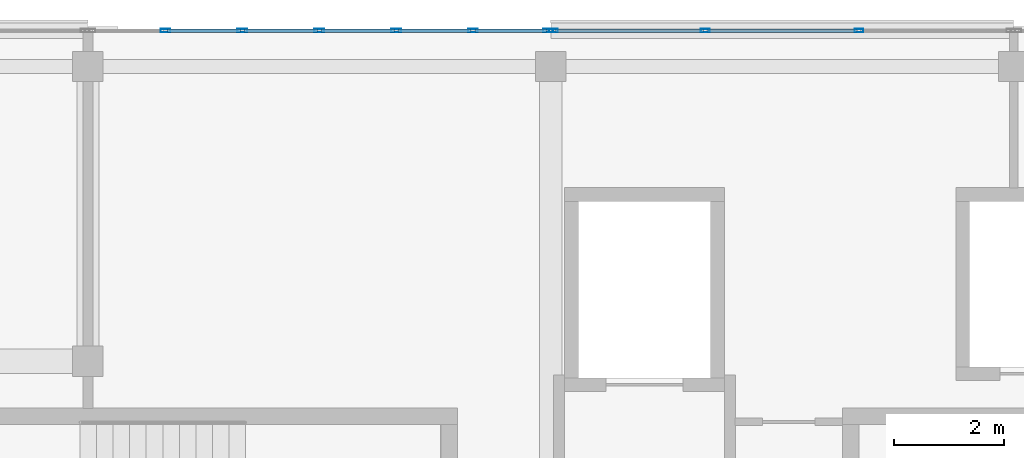
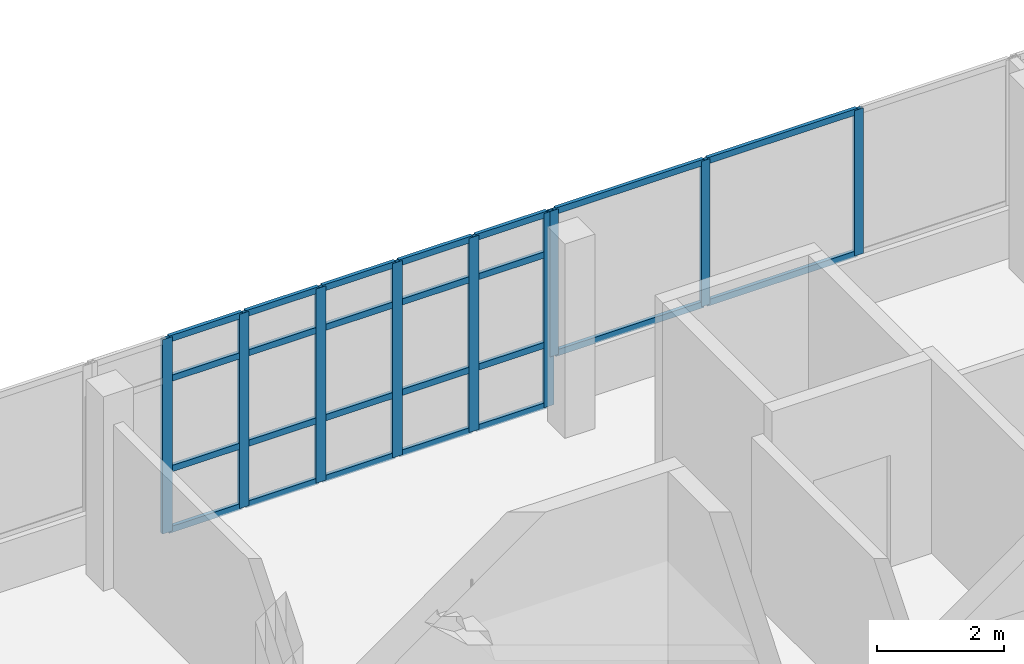
# One storey, part 40 of 67: 33 members, 2 elements without a shape of their own.
"""IFC4 building model written with IfcOpenShell, lengths in metres."""

from ifc_helpers import new_model, si_unit, direction, frame, origin, origin_2d, place, context, subcontext, project, spatial, hollow_rectangle, extrude, material, material_profile, profile_set, type_object, element, aggregate, save


model = new_model("IFC4")

# Units and contexts
model_context = context("Model", 3, precision=1e-05, world=origin(), true_north=direction((0.0, 1.0)))
body_context = subcontext(model_context, "Body", "Model", "MODEL_VIEW")
ifc_project = project(units=[si_unit("LENGTHUNIT", "METRE"), si_unit("AREAUNIT", "SQUARE_METRE"), si_unit("VOLUMEUNIT", "CUBIC_METRE"), si_unit("PLANEANGLEUNIT", "RADIAN"), si_unit("MASSUNIT", "GRAM", prefix="KILO")], contexts=[model_context])

# Site, building, storey
site_placement = place(None, origin())
site = spatial("IfcSite", under=ifc_project, at=site_placement, CompositionType="ELEMENT")
building_placement = place(site_placement, origin())
building = spatial("IfcBuilding", under=site, at=building_placement, Name="Selatvlak General Hospital", CompositionType="ELEMENT")
storey_placement = place(building_placement, frame((0.0, 0.0, 35.39990234375)))
storey = spatial("IfcBuildingStorey", under=building, at=storey_placement, Name="L08", CompositionType="ELEMENT", Elevation=35.39990234375)

# Curtain wall, members
ifc_material_1 = material(Name="Solar-control Low-E double glazing", Category="glass")
curtain_wall_type_1 = type_object("IfcCurtainWallType", Name="CW-CW-02", PredefinedType="USERDEFINED", material=ifc_material_1)
curtain_wall_1_placement = place(storey_placement, origin())
curtain_wall_1 = element("IfcCurtainWall", 1, at=curtain_wall_1_placement, inside=storey, type_object=curtain_wall_type_1, Name="Glazed facade curtain wall CW-L08-0691", ObjectType="UNITISED CURTAIN WALL", PredefinedType="USERDEFINED")
ifc_material_2 = material(Name="Dark anodised aluminium mullion", Category="aluminium")
ifc_material_profile_1 = material_profile(ifc_material_2, hollow_rectangle(XDim=0.06494140625, YDim=0.159912109375, WallThickness=0.00390625, at=origin_2d()), Name="AL-MUL 65x160x4")
ifc_profile_set_1 = profile_set([ifc_material_profile_1], Name="Dark anodised aluminium mullion")
member_type_1 = type_object("IfcMemberType", Name="CWM-01", PredefinedType="MULLION", material=ifc_profile_set_1)
member_1_placement = place(storey_placement, frame((98.446533203125, 120.0, 0.940185546875), z_axis=(0.0, 0.0, 1.0), x_axis=(0.0, 1.0, 0.0)))
member_1 = element("IfcMember", 2, at=member_1_placement, type_object=member_type_1, Name="CW-02 mullion 1", PredefinedType="MULLION", context=body_context, shape_type="SweptSolid", body=[
    extrude(hollow_rectangle(XDim=0.06494140625, YDim=0.159912109375, WallThickness=0.00390625, at=origin_2d()), origin(), (0.0, 0.0, 1.0), 2.7998046875),
])
member_2_placement = place(storey_placement, frame((101.2041015625, 120.0, 0.940185546875), z_axis=(0.0, 0.0, 1.0), x_axis=(0.0, 1.0, 0.0)))
member_2 = element("IfcMember", 3, at=member_2_placement, type_object=member_type_1, Name="CW-02 mullion 2", PredefinedType="MULLION", context=body_context, shape_type="SweptSolid", body=[
    extrude(hollow_rectangle(XDim=0.06494140625, YDim=0.159912109375, WallThickness=0.00390625, at=origin_2d()), origin(), (0.0, 0.0, 1.0), 2.7998046875),
])
member_3_placement = place(storey_placement, frame((103.993896484375, 120.0, 0.940185546875), z_axis=(0.0, 0.0, 1.0), x_axis=(0.0, 1.0, 0.0)))
member_3 = element("IfcMember", 4, at=member_3_placement, type_object=member_type_1, Name="CW-02 mullion 3", PredefinedType="MULLION", context=body_context, shape_type="SweptSolid", body=[
    extrude(hollow_rectangle(XDim=0.06494140625, YDim=0.159912109375, WallThickness=0.00390625, at=origin_2d()), origin(), (0.0, 0.0, 1.0), 2.7998046875),
])

curtain_wall_type_2 = type_object("IfcCurtainWallType", Name="CW-CW-04", PredefinedType="USERDEFINED", material=ifc_material_1)
curtain_wall_2_placement = place(storey_placement, origin())
curtain_wall_2 = element("IfcCurtainWall", 5, at=curtain_wall_2_placement, inside=storey, type_object=curtain_wall_type_2, Name="Glazed facade curtain wall CW-L08-0690", ObjectType="STICK GLAZING WALL", PredefinedType="USERDEFINED")
ifc_material_profile_2 = material_profile(ifc_material_2, hollow_rectangle(XDim=0.06494140625, YDim=0.179931640625, WallThickness=0.00439453125, at=origin_2d()), Name="AL-MUL 65x180x4.5")
ifc_profile_set_2 = profile_set([ifc_material_profile_2], Name="Dark anodised aluminium mullion")
member_type_2 = type_object("IfcMemberType", Name="CWM-02", PredefinedType="MULLION", material=ifc_profile_set_2)
member_4_placement = place(storey_placement, frame((91.409912109375, 119.999267578125, 0.0), z_axis=(0.0, 0.0, 1.0), x_axis=(-0.000119488591, 0.999999992861, 0.0)))
member_4 = element("IfcMember", 6, at=member_4_placement, type_object=member_type_2, Name="CW-04 mullion 2", PredefinedType="MULLION", context=body_context, shape_type="SweptSolid", body=[
    extrude(hollow_rectangle(XDim=0.06494140625, YDim=0.179931640625, WallThickness=0.00439453125, at=origin_2d()), origin(), (0.0, 0.0, 1.0), 3.739990234375),
])
member_5_placement = place(storey_placement, frame((92.8046875, 119.999267578125, 0.0), z_axis=(0.0, 0.0, 1.0), x_axis=(-0.000119488591, 0.999999992861, 0.0)))
member_5 = element("IfcMember", 7, at=member_5_placement, type_object=member_type_2, Name="CW-04 mullion 3", PredefinedType="MULLION", context=body_context, shape_type="SweptSolid", body=[
    extrude(hollow_rectangle(XDim=0.06494140625, YDim=0.179931640625, WallThickness=0.00439453125, at=origin_2d()), origin(), (0.0, 0.0, 1.0), 3.739990234375),
])
member_6_placement = place(storey_placement, frame((94.199462890625, 119.99951171875, 0.0), z_axis=(0.0, 0.0, 1.0), x_axis=(-0.000119488591, 0.999999992861, 0.0)))
member_6 = element("IfcMember", 8, at=member_6_placement, type_object=member_type_2, Name="CW-04 mullion 4", PredefinedType="MULLION", context=body_context, shape_type="SweptSolid", body=[
    extrude(hollow_rectangle(XDim=0.06494140625, YDim=0.179931640625, WallThickness=0.00439453125, at=origin_2d()), origin(), (0.0, 0.0, 1.0), 3.739990234375),
])
member_7_placement = place(storey_placement, frame((95.59423828125, 119.999755859375, 0.0), z_axis=(0.0, 0.0, 1.0), x_axis=(-0.000119488591, 0.999999992861, 0.0)))
member_7 = element("IfcMember", 9, at=member_7_placement, type_object=member_type_2, Name="CW-04 mullion 5", PredefinedType="MULLION", context=body_context, shape_type="SweptSolid", body=[
    extrude(hollow_rectangle(XDim=0.06494140625, YDim=0.179931640625, WallThickness=0.00439453125, at=origin_2d()), origin(), (0.0, 0.0, 1.0), 3.739990234375),
])
member_8_placement = place(storey_placement, frame((96.9892578125, 119.999755859375, 0.0), z_axis=(0.0, 0.0, 1.0), x_axis=(-0.000119488591, 0.999999992861, 0.0)))
member_8 = element("IfcMember", 10, at=member_8_placement, type_object=member_type_2, Name="CW-04 mullion 6", PredefinedType="MULLION", context=body_context, shape_type="SweptSolid", body=[
    extrude(hollow_rectangle(XDim=0.06494140625, YDim=0.179931640625, WallThickness=0.00439453125, at=origin_2d()), origin(), (0.0, 0.0, 1.0), 3.739990234375),
])
member_9_placement = place(storey_placement, frame((98.3515625, 120.0, 0.0), z_axis=(0.0, 0.0, 1.0), x_axis=(-0.000119488591, 0.999999992861, 0.0)))
member_9 = element("IfcMember", 11, at=member_9_placement, type_object=member_type_2, Name="CW-04 mullion 7", PredefinedType="MULLION", context=body_context, shape_type="SweptSolid", body=[
    extrude(hollow_rectangle(XDim=0.06494140625, YDim=0.179931640625, WallThickness=0.00439453125, at=origin_2d()), origin(), (0.0, 0.0, 1.0), 3.739990234375),
])
ifc_material_profile_3 = material_profile(ifc_material_2, hollow_rectangle(XDim=0.06494140625, YDim=0.1201171875, WallThickness=0.00390625, at=origin_2d()), Name="AL-TRN 65x120x4")
ifc_profile_set_3 = profile_set([ifc_material_profile_3], Name="Dark anodised aluminium mullion")
member_type_3 = type_object("IfcMemberType", Name="CWT-01", PredefinedType="USERDEFINED", material=ifc_profile_set_3)
member_10_placement = place(storey_placement, frame((91.4423828125, 119.999267578125, 0.03271484375), z_axis=(1.0, 0.0, 0.0), x_axis=(0.0, 1.0, 0.0)))
member_10 = element("IfcMember", 12, at=member_10_placement, type_object=member_type_3, Name="CW-04 transom 2.1", ObjectType="TRANSOM", PredefinedType="USERDEFINED", context=body_context, shape_type="SweptSolid", body=[
    extrude(hollow_rectangle(XDim=0.06494140625, YDim=0.1201171875, WallThickness=0.00390625, at=origin_2d()), origin(), (0.0, 0.0, 1.0), 1.329833984375),
])
member_11_placement = place(storey_placement, frame((91.4423828125, 119.999267578125, 1.2001953125), z_axis=(1.0, 0.0, 0.0), x_axis=(0.0, 1.0, 0.0)))
member_11 = element("IfcMember", 13, at=member_11_placement, type_object=member_type_3, Name="CW-04 transom 2.2", ObjectType="TRANSOM", PredefinedType="USERDEFINED", context=body_context, shape_type="SweptSolid", body=[
    extrude(hollow_rectangle(XDim=0.06494140625, YDim=0.1201171875, WallThickness=0.00390625, at=origin_2d()), origin(), (0.0, 0.0, 1.0), 1.329833984375),
])
member_12_placement = place(storey_placement, frame((91.4423828125, 119.999267578125, 2.940185546875), z_axis=(1.0, 0.0, 0.0), x_axis=(0.0, 1.0, 0.0)))
member_12 = element("IfcMember", 14, at=member_12_placement, type_object=member_type_3, Name="CW-04 transom 2.3", ObjectType="TRANSOM", PredefinedType="USERDEFINED", context=body_context, shape_type="SweptSolid", body=[
    extrude(hollow_rectangle(XDim=0.06494140625, YDim=0.1201171875, WallThickness=0.00390625, at=origin_2d()), origin(), (0.0, 0.0, 1.0), 1.329833984375),
])
member_13_placement = place(storey_placement, frame((91.4423828125, 119.999267578125, 3.70751953125), z_axis=(1.0, 0.0, 0.0), x_axis=(0.0, 1.0, 0.0)))
member_13 = element("IfcMember", 15, at=member_13_placement, type_object=member_type_3, Name="CW-04 transom 2.4", ObjectType="TRANSOM", PredefinedType="USERDEFINED", context=body_context, shape_type="SweptSolid", body=[
    extrude(hollow_rectangle(XDim=0.06494140625, YDim=0.1201171875, WallThickness=0.00390625, at=origin_2d()), origin(), (0.0, 0.0, 1.0), 1.329833984375),
])
member_14_placement = place(storey_placement, frame((92.837158203125, 119.999267578125, 0.03271484375), z_axis=(0.999999983148, 0.000183587293, 0.0), x_axis=(-0.000183587293, 0.999999983148, 0.0)))
member_14 = element("IfcMember", 16, at=member_14_placement, type_object=member_type_3, Name="CW-04 transom 3.1", ObjectType="TRANSOM", PredefinedType="USERDEFINED", context=body_context, shape_type="SweptSolid", body=[
    extrude(hollow_rectangle(XDim=0.06494140625, YDim=0.1201171875, WallThickness=0.00390625, at=origin_2d()), origin(), (0.0, 0.0, 1.0), 1.329833984375),
])
member_15_placement = place(storey_placement, frame((92.837158203125, 119.999267578125, 1.2001953125), z_axis=(0.999999983148, 0.000183587293, 0.0), x_axis=(-0.000183587293, 0.999999983148, 0.0)))
member_15 = element("IfcMember", 17, at=member_15_placement, type_object=member_type_3, Name="CW-04 transom 3.2", ObjectType="TRANSOM", PredefinedType="USERDEFINED", context=body_context, shape_type="SweptSolid", body=[
    extrude(hollow_rectangle(XDim=0.06494140625, YDim=0.1201171875, WallThickness=0.00390625, at=origin_2d()), origin(), (0.0, 0.0, 1.0), 1.329833984375),
])
member_16_placement = place(storey_placement, frame((92.837158203125, 119.999267578125, 2.940185546875), z_axis=(0.999999983148, 0.000183587293, 0.0), x_axis=(-0.000183587293, 0.999999983148, 0.0)))
member_16 = element("IfcMember", 18, at=member_16_placement, type_object=member_type_3, Name="CW-04 transom 3.3", ObjectType="TRANSOM", PredefinedType="USERDEFINED", context=body_context, shape_type="SweptSolid", body=[
    extrude(hollow_rectangle(XDim=0.06494140625, YDim=0.1201171875, WallThickness=0.00390625, at=origin_2d()), origin(), (0.0, 0.0, 1.0), 1.329833984375),
])
member_17_placement = place(storey_placement, frame((92.837158203125, 119.999267578125, 3.70751953125), z_axis=(0.999999983148, 0.000183587293, 0.0), x_axis=(-0.000183587293, 0.999999983148, 0.0)))
member_17 = element("IfcMember", 19, at=member_17_placement, type_object=member_type_3, Name="CW-04 transom 3.4", ObjectType="TRANSOM", PredefinedType="USERDEFINED", context=body_context, shape_type="SweptSolid", body=[
    extrude(hollow_rectangle(XDim=0.06494140625, YDim=0.1201171875, WallThickness=0.00390625, at=origin_2d()), origin(), (0.0, 0.0, 1.0), 1.329833984375),
])
member_18_placement = place(storey_placement, frame((94.23193359375, 119.99951171875, 0.03271484375), z_axis=(0.999999983148, 0.000183587293, 0.0), x_axis=(-0.000183587293, 0.999999983148, 0.0)))
member_18 = element("IfcMember", 20, at=member_18_placement, type_object=member_type_3, Name="CW-04 transom 4.1", ObjectType="TRANSOM", PredefinedType="USERDEFINED", context=body_context, shape_type="SweptSolid", body=[
    extrude(hollow_rectangle(XDim=0.06494140625, YDim=0.1201171875, WallThickness=0.00390625, at=origin_2d()), origin(), (0.0, 0.0, 1.0), 1.329833984375),
])
member_19_placement = place(storey_placement, frame((94.23193359375, 119.99951171875, 1.2001953125), z_axis=(0.999999983148, 0.000183587293, 0.0), x_axis=(-0.000183587293, 0.999999983148, 0.0)))
member_19 = element("IfcMember", 21, at=member_19_placement, type_object=member_type_3, Name="CW-04 transom 4.2", ObjectType="TRANSOM", PredefinedType="USERDEFINED", context=body_context, shape_type="SweptSolid", body=[
    extrude(hollow_rectangle(XDim=0.06494140625, YDim=0.1201171875, WallThickness=0.00390625, at=origin_2d()), origin(), (0.0, 0.0, 1.0), 1.329833984375),
])
member_20_placement = place(storey_placement, frame((94.23193359375, 119.99951171875, 2.940185546875), z_axis=(0.999999983148, 0.000183587293, 0.0), x_axis=(-0.000183587293, 0.999999983148, 0.0)))
member_20 = element("IfcMember", 22, at=member_20_placement, type_object=member_type_3, Name="CW-04 transom 4.3", ObjectType="TRANSOM", PredefinedType="USERDEFINED", context=body_context, shape_type="SweptSolid", body=[
    extrude(hollow_rectangle(XDim=0.06494140625, YDim=0.1201171875, WallThickness=0.00390625, at=origin_2d()), origin(), (0.0, 0.0, 1.0), 1.329833984375),
])
member_21_placement = place(storey_placement, frame((94.23193359375, 119.99951171875, 3.70751953125), z_axis=(0.999999983148, 0.000183587293, 0.0), x_axis=(-0.000183587293, 0.999999983148, 0.0)))
member_21 = element("IfcMember", 23, at=member_21_placement, type_object=member_type_3, Name="CW-04 transom 4.4", ObjectType="TRANSOM", PredefinedType="USERDEFINED", context=body_context, shape_type="SweptSolid", body=[
    extrude(hollow_rectangle(XDim=0.06494140625, YDim=0.1201171875, WallThickness=0.00390625, at=origin_2d()), origin(), (0.0, 0.0, 1.0), 1.329833984375),
])
member_22_placement = place(storey_placement, frame((95.626953125, 119.999755859375, 0.03271484375), z_axis=(1.0, 0.0, 0.0), x_axis=(0.0, 1.0, 0.0)))
member_22 = element("IfcMember", 24, at=member_22_placement, type_object=member_type_3, Name="CW-04 transom 5.1", ObjectType="TRANSOM", PredefinedType="USERDEFINED", context=body_context, shape_type="SweptSolid", body=[
    extrude(hollow_rectangle(XDim=0.06494140625, YDim=0.1201171875, WallThickness=0.00390625, at=origin_2d()), origin(), (0.0, 0.0, 1.0), 1.329833984375),
])
member_23_placement = place(storey_placement, frame((95.626953125, 119.999755859375, 1.2001953125), z_axis=(1.0, 0.0, 0.0), x_axis=(0.0, 1.0, 0.0)))
member_23 = element("IfcMember", 25, at=member_23_placement, type_object=member_type_3, Name="CW-04 transom 5.2", ObjectType="TRANSOM", PredefinedType="USERDEFINED", context=body_context, shape_type="SweptSolid", body=[
    extrude(hollow_rectangle(XDim=0.06494140625, YDim=0.1201171875, WallThickness=0.00390625, at=origin_2d()), origin(), (0.0, 0.0, 1.0), 1.329833984375),
])
member_24_placement = place(storey_placement, frame((95.626953125, 119.999755859375, 2.940185546875), z_axis=(1.0, 0.0, 0.0), x_axis=(0.0, 1.0, 0.0)))
member_24 = element("IfcMember", 26, at=member_24_placement, type_object=member_type_3, Name="CW-04 transom 5.3", ObjectType="TRANSOM", PredefinedType="USERDEFINED", context=body_context, shape_type="SweptSolid", body=[
    extrude(hollow_rectangle(XDim=0.06494140625, YDim=0.1201171875, WallThickness=0.00390625, at=origin_2d()), origin(), (0.0, 0.0, 1.0), 1.329833984375),
])
member_25_placement = place(storey_placement, frame((95.626953125, 119.999755859375, 3.70751953125), z_axis=(1.0, 0.0, 0.0), x_axis=(0.0, 1.0, 0.0)))
member_25 = element("IfcMember", 27, at=member_25_placement, type_object=member_type_3, Name="CW-04 transom 5.4", ObjectType="TRANSOM", PredefinedType="USERDEFINED", context=body_context, shape_type="SweptSolid", body=[
    extrude(hollow_rectangle(XDim=0.06494140625, YDim=0.1201171875, WallThickness=0.00390625, at=origin_2d()), origin(), (0.0, 0.0, 1.0), 1.329833984375),
])
member_26_placement = place(storey_placement, frame((97.021728515625, 119.999755859375, 0.03271484375), z_axis=(0.999999982294, 0.000188182157, 0.0), x_axis=(-0.000188182157, 0.999999982294, 0.0)))
member_26 = element("IfcMember", 28, at=member_26_placement, type_object=member_type_3, Name="CW-04 transom 6.1", ObjectType="TRANSOM", PredefinedType="USERDEFINED", context=body_context, shape_type="SweptSolid", body=[
    extrude(hollow_rectangle(XDim=0.06494140625, YDim=0.1201171875, WallThickness=0.00390625, at=origin_2d()), origin(), (0.0, 0.0, 1.0), 1.29736328125),
])
member_27_placement = place(storey_placement, frame((97.021728515625, 119.999755859375, 1.2001953125), z_axis=(0.999999982294, 0.000188182157, 0.0), x_axis=(-0.000188182157, 0.999999982294, 0.0)))
member_27 = element("IfcMember", 29, at=member_27_placement, type_object=member_type_3, Name="CW-04 transom 6.2", ObjectType="TRANSOM", PredefinedType="USERDEFINED", context=body_context, shape_type="SweptSolid", body=[
    extrude(hollow_rectangle(XDim=0.06494140625, YDim=0.1201171875, WallThickness=0.00390625, at=origin_2d()), origin(), (0.0, 0.0, 1.0), 1.29736328125),
])
member_28_placement = place(storey_placement, frame((97.021728515625, 119.999755859375, 2.940185546875), z_axis=(0.999999982294, 0.000188182157, 0.0), x_axis=(-0.000188182157, 0.999999982294, 0.0)))
member_28 = element("IfcMember", 30, at=member_28_placement, type_object=member_type_3, Name="CW-04 transom 6.3", ObjectType="TRANSOM", PredefinedType="USERDEFINED", context=body_context, shape_type="SweptSolid", body=[
    extrude(hollow_rectangle(XDim=0.06494140625, YDim=0.1201171875, WallThickness=0.00390625, at=origin_2d()), origin(), (0.0, 0.0, 1.0), 1.29736328125),
])
member_29_placement = place(storey_placement, frame((97.021728515625, 119.999755859375, 3.70751953125), z_axis=(0.999999982294, 0.000188182157, 0.0), x_axis=(-0.000188182157, 0.999999982294, 0.0)))
member_29 = element("IfcMember", 31, at=member_29_placement, type_object=member_type_3, Name="CW-04 transom 6.4", ObjectType="TRANSOM", PredefinedType="USERDEFINED", context=body_context, shape_type="SweptSolid", body=[
    extrude(hollow_rectangle(XDim=0.06494140625, YDim=0.1201171875, WallThickness=0.00390625, at=origin_2d()), origin(), (0.0, 0.0, 1.0), 1.29736328125),
])
aggregate(curtain_wall_2, [member_4, member_5, member_6, member_7, member_8, member_9, member_10, member_11, member_12, member_13, member_14, member_15, member_16, member_17, member_18, member_19, member_20, member_21, member_22, member_23, member_24, member_25, member_26, member_27, member_28, member_29])

# Member
member_30_placement = place(storey_placement, frame((98.47900390625, 120.0, 0.97265625), z_axis=(1.0, 0.0, 0.0), x_axis=(0.0, 1.0, 0.0)))
member_30 = element("IfcMember", 32, at=member_30_placement, type_object=member_type_3, Name="CW-02 transom 1.1", ObjectType="TRANSOM", PredefinedType="USERDEFINED", context=body_context, shape_type="SweptSolid", body=[
    extrude(hollow_rectangle(XDim=0.06494140625, YDim=0.1201171875, WallThickness=0.00390625, at=origin_2d()), origin(), (0.0, 0.0, 1.0), 2.6923828125),
])

member_31_placement = place(storey_placement, frame((98.47900390625, 120.0, 3.70751953125), z_axis=(1.0, 0.0, 0.0), x_axis=(0.0, 1.0, 0.0)))
member_31 = element("IfcMember", 33, at=member_31_placement, type_object=member_type_3, Name="CW-02 transom 1.2", ObjectType="TRANSOM", PredefinedType="USERDEFINED", context=body_context, shape_type="SweptSolid", body=[
    extrude(hollow_rectangle(XDim=0.06494140625, YDim=0.1201171875, WallThickness=0.00390625, at=origin_2d()), origin(), (0.0, 0.0, 1.0), 2.6923828125),
])

member_32_placement = place(storey_placement, frame((101.236572265625, 120.0, 0.97265625), z_axis=(1.0, 0.0, 0.0), x_axis=(0.0, 1.0, 0.0)))
member_32 = element("IfcMember", 34, at=member_32_placement, type_object=member_type_3, Name="CW-02 transom 2.1", ObjectType="TRANSOM", PredefinedType="USERDEFINED", context=body_context, shape_type="SweptSolid", body=[
    extrude(hollow_rectangle(XDim=0.06494140625, YDim=0.1201171875, WallThickness=0.00390625, at=origin_2d()), origin(), (0.0, 0.0, 1.0), 2.724853515625),
])

member_33_placement = place(storey_placement, frame((101.236572265625, 120.0, 3.70751953125), z_axis=(1.0, 0.0, 0.0), x_axis=(0.0, 1.0, 0.0)))
member_33 = element("IfcMember", 35, at=member_33_placement, type_object=member_type_3, Name="CW-02 transom 2.2", ObjectType="TRANSOM", PredefinedType="USERDEFINED", context=body_context, shape_type="SweptSolid", body=[
    extrude(hollow_rectangle(XDim=0.06494140625, YDim=0.1201171875, WallThickness=0.00390625, at=origin_2d()), origin(), (0.0, 0.0, 1.0), 2.724853515625),
])

aggregate(curtain_wall_1, [member_1, member_2, member_3, member_30, member_31, member_32, member_33])

save(model, "model.ifc")
